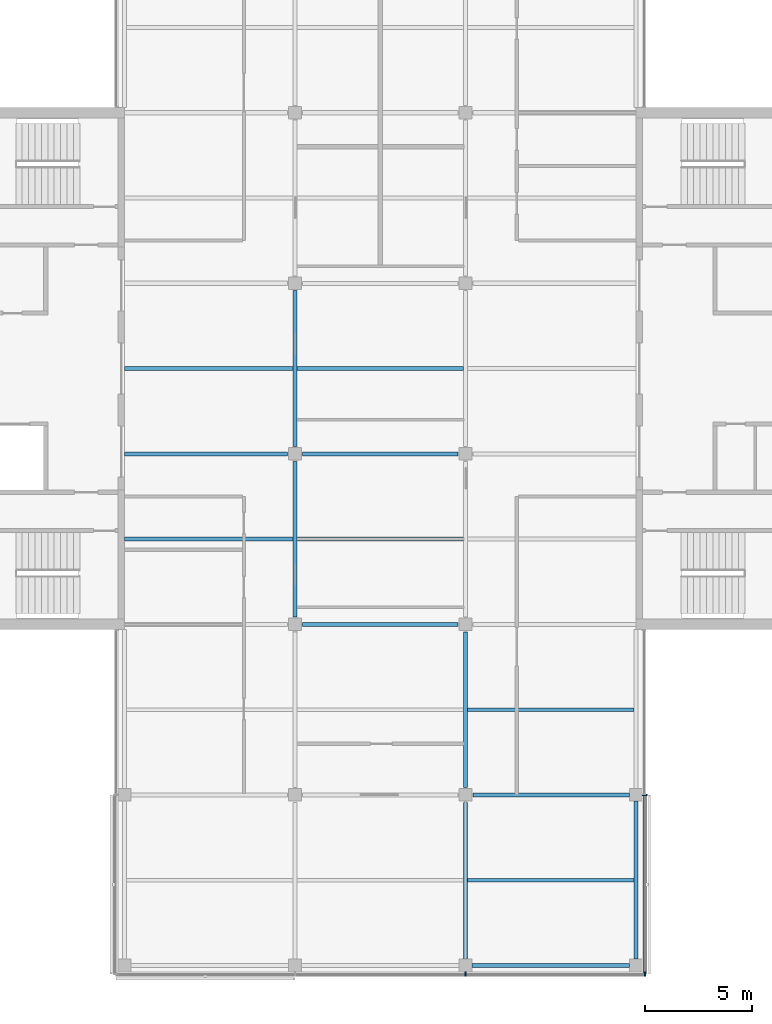
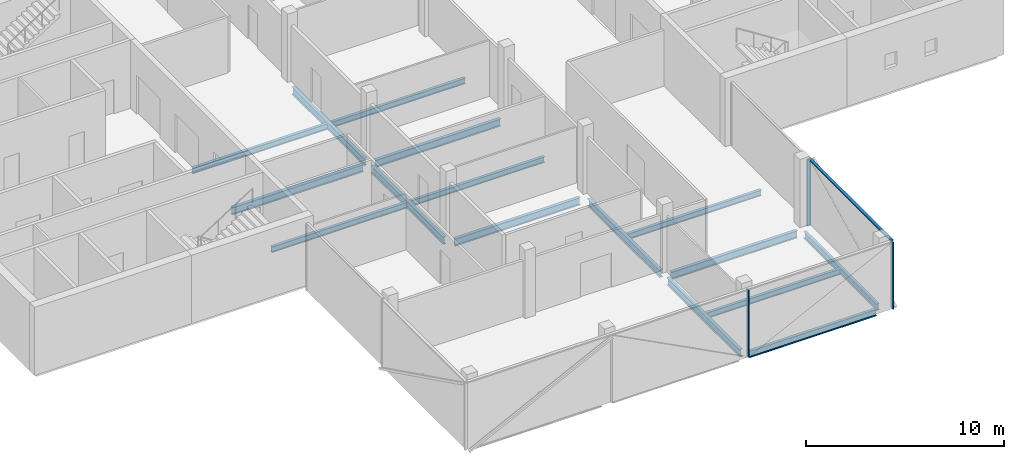
# One storey, part 3 of 16: 16 beams, 4 members, 2 elements without a shape of their own.
"""IFC4 building model written with IfcOpenShell, lengths in metres."""

import ifcopenshell
import ifcopenshell.guid

model = None  # the IFC model being written
_history = None  # IfcOwnerHistory: only IFC2X3 demands one
_inside = {}  # id of a spatial element -> (the spatial element, [elements in it])
_under = {}  # id of a project, library or spatial element -> (it, [spatial elements below it])
_declared = {}  # id of a project -> (the project, [libraries it declares])
_typed = {}  # id of a type object -> (the type object, [elements of that type])
_made_of = {}  # id of a material, layer set ... -> (it, [elements and type objects made of it])


def new_model(schema):
    """Start an empty IFC model of exactly this schema.

    Asked for "IFC4X3", IfcOpenShell would pick the latest addendum, in which some entities
    have other attributes; the version numbers below select the first issue.
    IFC2X3 requires an IfcOwnerHistory on every rooted entity: one is made here for all.
    """
    global model, _history
    if schema == "IFC4X3":
        model = ifcopenshell.file(schema_version=(4, 3, 0, 0))
    else:
        model = ifcopenshell.file(schema=schema)
    _inside.clear()
    _under.clear()
    _declared.clear()
    _typed.clear()
    _made_of.clear()
    _history = None
    if model.schema == "IFC2X3":
        org = make("IfcOrganization", Name="unknown")
        user = make(
            "IfcPersonAndOrganization",
            ThePerson=make("IfcPerson", FamilyName="unknown"),
            TheOrganization=org,
        )
        app = make(
            "IfcApplication",
            ApplicationDeveloper=org,
            Version="unknown",
            ApplicationFullName="unknown",
            ApplicationIdentifier="unknown",
        )
        _history = make(
            "IfcOwnerHistory",
            OwningUser=user,
            OwningApplication=app,
            ChangeAction="ADDED",
            CreationDate=0,
        )
    return model


def make(cls, **values):
    """One entity of the class cls with the attributes given. An attribute that is None is left unset."""
    return model.create_entity(
        cls, **{name: value for name, value in values.items() if value is not None}
    )


def rooted(cls, **values):
    """An entity with a GlobalId (a new one), such as an element, a storey or a relation."""
    return make(cls, GlobalId=ifcopenshell.guid.new(), OwnerHistory=_history, **values)


def si_unit(unit_type, name, prefix=None):
    """IfcSIUnit, for example si_unit("LENGTHUNIT", "METRE", prefix="MILLI")."""
    return make("IfcSIUnit", UnitType=unit_type, Prefix=prefix, Name=name)


def assignment(units):
    """IfcUnitAssignment: the units of a project."""
    return None if units is None else make("IfcUnitAssignment", Units=units)


def point(xyz):
    """IfcCartesianPoint."""
    return None if xyz is None else make("IfcCartesianPoint", Coordinates=xyz)


def direction(xyz):
    """IfcDirection."""
    return None if xyz is None else make("IfcDirection", DirectionRatios=xyz)


def frame(location, z_axis=None, x_axis=None):
    """IfcAxis2Placement3D, a coordinate frame: its origin and axes. An axis left out is left unset."""
    return make(
        "IfcAxis2Placement3D",
        Location=point(location),
        Axis=direction(z_axis),
        RefDirection=direction(x_axis),
    )


def frame_2d(location, x_axis=None):
    """IfcAxis2Placement2D, a coordinate frame in the plane: its origin and x axis."""
    return make(
        "IfcAxis2Placement2D", Location=point(location), RefDirection=direction(x_axis)
    )


def origin():
    """The frame at (0, 0, 0) with its axes left unset."""
    return frame((0.0, 0.0, 0.0))


def origin_2d():
    """The frame at (0, 0) in the plane with its x axis left unset."""
    return frame_2d((0.0, 0.0))


def place(relative_to, where):
    """IfcLocalPlacement: puts the frame where relative to a parent placement (None: the world)."""
    return make(
        "IfcLocalPlacement", PlacementRelTo=relative_to, RelativePlacement=where
    )


def context(
    kind, dimensions, precision=None, world=None, true_north=None, identifier=None
):
    """IfcGeometricRepresentationContext, for example the 3D "Model" context."""
    return make(
        "IfcGeometricRepresentationContext",
        ContextIdentifier=identifier,
        ContextType=kind,
        CoordinateSpaceDimension=dimensions,
        Precision=precision,
        WorldCoordinateSystem=world,
        TrueNorth=true_north,
    )


def subcontext(parent, identifier, kind, view, scale=None):
    """IfcGeometricRepresentationSubContext, for example "Body" below "Model"."""
    return make(
        "IfcGeometricRepresentationSubContext",
        ContextIdentifier=identifier,
        ContextType=kind,
        ParentContext=parent,
        TargetScale=scale,
        TargetView=view,
    )


def project(units=None, contexts=None):
    """IfcProject with its units and contexts."""
    return rooted(
        "IfcProject",
        Name="project",
        RepresentationContexts=contexts,
        UnitsInContext=assignment(units),
    )


def spatial(cls, under=None, at=None, **own):
    """A site, building, storey or space (cls), placed at a placement, below another one or the project."""
    s = rooted(cls, ObjectPlacement=at, **own)
    if under is not None:
        _under.setdefault(under.id(), (under, []))[1].append(s)
    return s


def profile(cls, at=None, kind="AREA", **sizes):
    """A parametric profile (cls). Its sizes go by their IFC names, for example OverallWidth=200.0."""
    return make(cls, ProfileType=kind, Position=at, **sizes)


def rectangle(**sizes):
    """IfcRectangleProfileDef."""
    return profile("IfcRectangleProfileDef", **sizes)


def i_section(**sizes):
    """IfcIShapeProfileDef."""
    return profile("IfcIShapeProfileDef", **sizes)


def extrude(swept, where, along, depth):
    """IfcExtrudedAreaSolid: the profile swept, set in the frame where, extruded along a direction by depth."""
    return make(
        "IfcExtrudedAreaSolid",
        SweptArea=swept,
        Position=where,
        ExtrudedDirection=direction(along),
        Depth=depth,
    )


def shape(context_of_items, identifier, shape_type, items):
    """IfcShapeRepresentation: the items that make up one representation, for example the "Body"."""
    return make(
        "IfcShapeRepresentation",
        ContextOfItems=context_of_items,
        RepresentationIdentifier=identifier,
        RepresentationType=shape_type,
        Items=items,
    )


def material(Name=None, Category=None):
    """IfcMaterial."""
    return make("IfcMaterial", Name=Name, Category=Category)


def material_profile(
    of_material, cross_section, Name=None, Category=None, Priority=None
):
    """IfcMaterialProfile: a cross section and its material."""
    return make(
        "IfcMaterialProfile",
        Name=Name,
        Material=of_material,
        Profile=cross_section,
        Priority=Priority,
        Category=Category,
    )


def profile_set(profiles, Name=None, composite=None):
    """IfcMaterialProfileSet."""
    return make(
        "IfcMaterialProfileSet",
        Name=Name,
        MaterialProfiles=profiles,
        CompositeProfile=composite,
    )


def made_of(thing, what):
    """Note that an element or type object is made of a material, layer set ...; save() writes the relation."""
    if what is not None:
        _made_of.setdefault(what.id(), (what, []))[1].append(thing)
    return thing


def type_object(cls, material=None, **own):
    """A type object (cls), such as IfcWallType, which elements share."""
    return made_of(rooted(cls, **own), material)


def element(
    cls,
    number,
    at=None,
    inside=None,
    cuts=None,
    type_object=None,
    material=None,
    context=None,
    identifier="Body",
    shape_type=None,
    held_by="IfcProductDefinitionShape",
    body=None,
    shapes=None,
    **own,
):
    """One element of the class cls, such as IfcWall. Its Tag is "e" and its number.

    at: its placement. inside: the storey or other place that contains it. cuts: it is an
    opening in that element (IfcRelVoidsElement). A single representation is given by context,
    identifier, shape_type and body (its items); several are given by shapes. held_by: the class
    of the entity that holds the representations. save() writes the other relations.
    """
    e = rooted(cls, Tag="e%d" % number, ObjectPlacement=at, **own)
    if body is not None:
        shapes = [shape(context, identifier, shape_type, body)]
    if shapes is not None:
        e.Representation = make(held_by, Representations=shapes)
    if inside is not None:
        _inside.setdefault(inside.id(), (inside, []))[1].append(e)
    if cuts is not None:
        rooted(
            "IfcRelVoidsElement", RelatingBuildingElement=cuts, RelatedOpeningElement=e
        )
    if type_object is not None:
        _typed.setdefault(type_object.id(), (type_object, []))[1].append(e)
    return made_of(e, material)


def aggregate(whole, parts):
    """IfcRelAggregates: a whole, such as a stair, and the parts it consists of."""
    return rooted("IfcRelAggregates", RelatingObject=whole, RelatedObjects=parts)


def save(model, path):
    """Write the relations noted so far, then the file.

    IfcRelAggregates (storeys below a building ...), IfcRelContainedInSpatialStructure (elements
    in a storey), IfcRelDefinesByType, IfcRelAssociatesMaterial and IfcRelDeclares: one each for
    every whole, place, type object, material and project.
    """
    for whole, parts in _under.values():
        aggregate(whole, parts)
    for where, things in _inside.values():
        rooted(
            "IfcRelContainedInSpatialStructure",
            RelatedElements=things,
            RelatingStructure=where,
        )
    for kind, things in _typed.values():
        rooted("IfcRelDefinesByType", RelatedObjects=things, RelatingType=kind)
    for what, things in _made_of.values():
        rooted("IfcRelAssociatesMaterial", RelatedObjects=things, RelatingMaterial=what)
    for by, libraries in _declared.values():
        rooted("IfcRelDeclares", RelatingContext=by, RelatedDefinitions=libraries)
    model.write(path)


model = new_model("IFC4")

# Units and contexts
model_context = context("Model", 3, precision=1e-05, world=origin(), true_north=direction((0.0, 1.0)))
body_context = subcontext(model_context, "Body", "Model", "MODEL_VIEW")
ifc_project = project(units=[si_unit("LENGTHUNIT", "METRE"), si_unit("AREAUNIT", "SQUARE_METRE"), si_unit("VOLUMEUNIT", "CUBIC_METRE"), si_unit("PLANEANGLEUNIT", "RADIAN"), si_unit("MASSUNIT", "GRAM", prefix="KILO")], contexts=[model_context])

# Site, building, storey
site_placement = place(None, origin())
site = spatial("IfcSite", under=ifc_project, at=site_placement, CompositionType="ELEMENT")
building_placement = place(site_placement, origin())
building = spatial("IfcBuilding", under=site, at=building_placement, Name="Crosswind Convention Tower", CompositionType="ELEMENT")
storey_placement = place(building_placement, frame((0.0, 0.0, 295.5)))
storey = spatial("IfcBuildingStorey", under=building, at=storey_placement, Name="L64", CompositionType="ELEMENT", Elevation=295.5)

# Beams
ifc_material_1 = material(Name="Steel S355", Category="steel")
ifc_material_profile_1 = material_profile(ifc_material_1, i_section(OverallWidth=0.177734375, OverallDepth=0.406494140625, WebThickness=0.0078125, FlangeThickness=0.0126953125, FilletRadius=0.01025390625, at=origin_2d()), Name="UB 406x178x60")
ifc_profile_set_1 = profile_set([ifc_material_profile_1], Name="Steel S355")
beam_type_1 = type_object("IfcBeamType", Name="Edge beam UB 406x178x60", PredefinedType="SPANDREL", material=ifc_profile_set_1)
for number, where, z_axis, x_axis, name in (
    (1, (129.300048828125, 72.0, -0.503173828125), (1.0, 0.0, 0.0), (0.0, 1.0, 0.0), "B15 L64 edge beam 9"),
    (2, (137.0, 72.300048828125, -0.503173828125), (0.0, 1.0, 0.0), (-1.0, 0.0, 0.0), "B15 L64 edge beam 11"),
):
    element("IfcBeam", number, at=place(storey_placement, frame(where, z_axis=z_axis, x_axis=x_axis)), inside=storey, type_object=beam_type_1, Name=name, PredefinedType="SPANDREL", context=body_context, shape_type="SweptSolid", body=[
        extrude(i_section(OverallWidth=0.177734375, OverallDepth=0.406494140625, WebThickness=0.0078125, FlangeThickness=0.0126953125, FilletRadius=0.01025390625, at=origin_2d()), origin(), (0.0, 0.0, 1.0), 7.39990234375),
    ])
ifc_material_profile_2 = material_profile(ifc_material_1, i_section(OverallWidth=0.18994140625, OverallDepth=0.45361328125, WebThickness=0.008544921875, FlangeThickness=0.0126953125, FilletRadius=0.01025390625, at=origin_2d()), Name="UB 457x191x67")
ifc_profile_set_2 = profile_set([ifc_material_profile_2], Name="Steel S355")
beam_type_2 = type_object("IfcBeamType", Name="Girder UB 457x191x67", PredefinedType="BEAM", material=ifc_profile_set_2)
for number, where, z_axis, x_axis, name in (
    (3, (121.0, 88.35009765625, -0.52685546875), (0.0, 1.0, 0.0), (-1.0, 0.0, 0.0), "B1 L64 girder 5"),
    (4, (121.0, 96.35009765625, -0.52685546875), (0.0, 1.0, 0.0), (-1.0, 0.0, 0.0), "B1 L64 girder 6"),
    (5, (121.35009765625, 88.0, -0.52685546875), (1.0, 0.0, 0.0), (0.0, 1.0, 0.0), "B1 L64 girder 11"),
    (6, (121.35009765625, 96.0, -0.52685546875), (1.0, 0.0, 0.0), (0.0, 1.0, 0.0), "B1 L64 girder 12"),
):
    element("IfcBeam", number, at=place(storey_placement, frame(where, z_axis=z_axis, x_axis=x_axis)), inside=storey, type_object=beam_type_2, Name=name, PredefinedType="BEAM", context=body_context, shape_type="SweptSolid", body=[
        extrude(i_section(OverallWidth=0.18994140625, OverallDepth=0.45361328125, WebThickness=0.008544921875, FlangeThickness=0.0126953125, FilletRadius=0.01025390625, at=origin_2d()), origin(), (0.0, 0.0, 1.0), 7.2998046875),
    ])
beam_1_placement = place(storey_placement, frame((129.0, 72.300048828125, -0.52685546875), z_axis=(0.0, 1.0, 0.0), x_axis=(-1.0, 0.0, 0.0)))
element("IfcBeam", 7, at=beam_1_placement, inside=storey, type_object=beam_type_2, Name="B1 L64 girder 16", PredefinedType="BEAM", context=body_context, shape_type="SweptSolid", body=[
    extrude(i_section(OverallWidth=0.18994140625, OverallDepth=0.45361328125, WebThickness=0.008544921875, FlangeThickness=0.0126953125, FilletRadius=0.01025390625, at=origin_2d()), origin(), (0.0, 0.0, 1.0), 7.349853515625),
])
beam_2_placement = place(storey_placement, frame((129.0, 80.35009765625, -0.52685546875), z_axis=(0.0, 1.0, 0.0), x_axis=(-1.0, 0.0, 0.0)))
element("IfcBeam", 8, at=beam_2_placement, inside=storey, type_object=beam_type_2, Name="B1 L64 girder 17", PredefinedType="BEAM", context=body_context, shape_type="SweptSolid", body=[
    extrude(i_section(OverallWidth=0.18994140625, OverallDepth=0.45361328125, WebThickness=0.008544921875, FlangeThickness=0.0126953125, FilletRadius=0.01025390625, at=origin_2d()), origin(), (0.0, 0.0, 1.0), 7.2998046875),
])
beam_3_placement = place(storey_placement, frame((129.35009765625, 80.0, -0.52685546875), z_axis=(1.0, 0.0, 0.0), x_axis=(0.0, 1.0, 0.0)))
element("IfcBeam", 9, at=beam_3_placement, inside=storey, type_object=beam_type_2, Name="B1 L64 girder 23", PredefinedType="BEAM", context=body_context, shape_type="SweptSolid", body=[
    extrude(i_section(OverallWidth=0.18994140625, OverallDepth=0.45361328125, WebThickness=0.008544921875, FlangeThickness=0.0126953125, FilletRadius=0.01025390625, at=origin_2d()), origin(), (0.0, 0.0, 1.0), 7.349853515625),
])
ifc_material_profile_3 = material_profile(ifc_material_1, i_section(OverallWidth=0.1904296875, OverallDepth=0.457275390625, WebThickness=0.009033203125, FlangeThickness=0.014404296875, FilletRadius=0.01025390625, at=origin_2d()), Name="UB 457x191x75")
ifc_profile_set_3 = profile_set([ifc_material_profile_3], Name="Steel S355")
beam_type_3 = type_object("IfcBeamType", Name="Girder at core wall UB 457x191x75", PredefinedType="BEAM", material=ifc_profile_set_3)
beam_4_placement = place(storey_placement, frame((113.0, 96.0, -0.528564453125), z_axis=(1.0, 0.0, 0.0), x_axis=(0.0, 1.0, 0.0)))
element("IfcBeam", 10, at=beam_4_placement, inside=storey, type_object=beam_type_3, Name="B22 L64 girder at core wall 2", PredefinedType="BEAM", context=body_context, shape_type="SweptSolid", body=[
    extrude(i_section(OverallWidth=0.1904296875, OverallDepth=0.457275390625, WebThickness=0.009033203125, FlangeThickness=0.014404296875, FilletRadius=0.01025390625, at=origin_2d()), origin(), (0.0, 0.0, 1.0), 7.64990234375),
])

# Curtain wall, members
ifc_material_2 = material(Name="Aluminium unitised curtain wall", Category="aluminium")
curtain_wall_type = type_object("IfcCurtainWallType", Name="OFFICE UNITISED WALL 220", PredefinedType="USERDEFINED", material=ifc_material_2)
curtain_wall_1_placement = place(storey_placement, origin())
curtain_wall_1 = element("IfcCurtainWall", 11, at=curtain_wall_1_placement, inside=storey, type_object=curtain_wall_type, Name="CW3 L64 S-TIP 1", ObjectType="UNITISED", PredefinedType="USERDEFINED")
ifc_material_3 = material(Name="Aluminium mullion", Category="aluminium")
ifc_material_profile_4 = material_profile(ifc_material_3, rectangle(XDim=0.219970703125, YDim=0.070068359375, at=origin_2d()), Name="AL 220X70")
ifc_profile_set_4 = profile_set([ifc_material_profile_4], Name="Aluminium mullion")
member_type_1 = type_object("IfcMemberType", Name="MULLION 70X220", PredefinedType="MULLION", material=ifc_profile_set_4)
member_1_placement = place(storey_placement, frame((129.0, 71.590087890625, -0.300048828125), z_axis=(0.0, 0.0, 1.0), x_axis=(0.0, -1.0, 0.0)))
member_1 = element("IfcMember", 12, at=member_1_placement, type_object=member_type_1, Name="CW3 mullion 3", PredefinedType="MULLION", context=body_context, shape_type="SweptSolid", body=[
    extrude(rectangle(XDim=0.219970703125, YDim=0.070068359375, at=origin_2d()), origin(), (0.0, 0.0, 1.0), 4.130126953125),
])
member_2_placement = place(storey_placement, frame((137.409912109375, 71.590087890625, -0.300048828125), z_axis=(0.0, 0.0, 1.0), x_axis=(0.0, -1.0, 0.0)))
member_2 = element("IfcMember", 13, at=member_2_placement, type_object=member_type_1, Name="CW3 mullion 4", PredefinedType="MULLION", context=body_context, shape_type="SweptSolid", body=[
    extrude(rectangle(XDim=0.219970703125, YDim=0.070068359375, at=origin_2d()), origin(), (0.0, 0.0, 1.0), 4.130126953125),
])
aggregate(curtain_wall_1, [member_1, member_2])

# Curtain wall, member
curtain_wall_2_placement = place(storey_placement, origin())
curtain_wall_2 = element("IfcCurtainWall", 14, at=curtain_wall_2_placement, inside=storey, type_object=curtain_wall_type, Name="CW3 L64 S-E 1", ObjectType="UNITISED", PredefinedType="USERDEFINED")
member_3_placement = place(storey_placement, frame((137.409912109375, 80.0, -0.300048828125), z_axis=(0.0, 0.0, 1.0), x_axis=(1.0, 0.0, 0.0)))
member_3 = element("IfcMember", 15, at=member_3_placement, type_object=member_type_1, Name="CW3 mullion 2", PredefinedType="MULLION", context=body_context, shape_type="SweptSolid", body=[
    extrude(rectangle(XDim=0.219970703125, YDim=0.070068359375, at=origin_2d()), origin(), (0.0, 0.0, 1.0), 4.130126953125),
])

# Beams
ifc_material_profile_5 = material_profile(ifc_material_1, i_section(OverallWidth=0.17138671875, OverallDepth=0.355712890625, WebThickness=0.00732421875, FlangeThickness=0.011474609375, FilletRadius=0.01025390625, at=origin_2d()), Name="UB 356x171x51")
ifc_profile_set_5 = profile_set([ifc_material_profile_5], Name="Steel S355")
beam_type_4 = type_object("IfcBeamType", Name="Secondary beam UB 356x171x51", PredefinedType="JOIST", material=ifc_profile_set_5)
for number, where, z_axis, x_axis, name in (
    (16, (113.0, 92.0, -0.477783203125), (1.0, 0.0, 0.0), (0.0, 1.0, 0.0), "B8 L64 secondary beam 1"),
    (17, (113.0, 100.0, -0.477783203125), (1.0, 0.0, 0.0), (0.0, 1.0, 0.0), "B8 L64 secondary beam 2"),
):
    element("IfcBeam", number, at=place(storey_placement, frame(where, z_axis=z_axis, x_axis=x_axis)), inside=storey, type_object=beam_type_4, Name=name, PredefinedType="JOIST", context=body_context, shape_type="SweptSolid", body=[
        extrude(i_section(OverallWidth=0.17138671875, OverallDepth=0.355712890625, WebThickness=0.00732421875, FlangeThickness=0.011474609375, FilletRadius=0.01025390625, at=origin_2d()), origin(), (0.0, 0.0, 1.0), 7.905029296875),
    ])
for number, where, z_axis, x_axis, name in (
    (18, (121.094970703125, 92.0, -0.477783203125), (1.0, 0.0, 0.0), (0.0, 1.0, 0.0), "B8 L64 secondary beam 10"),
    (19, (121.094970703125, 100.0, -0.477783203125), (1.0, 0.0, 0.0), (0.0, 1.0, 0.0), "B8 L64 secondary beam 11"),
):
    element("IfcBeam", number, at=place(storey_placement, frame(where, z_axis=z_axis, x_axis=x_axis)), inside=storey, type_object=beam_type_4, Name=name, PredefinedType="JOIST", context=body_context, shape_type="SweptSolid", body=[
        extrude(i_section(OverallWidth=0.17138671875, OverallDepth=0.355712890625, WebThickness=0.00732421875, FlangeThickness=0.011474609375, FilletRadius=0.01025390625, at=origin_2d()), origin(), (0.0, 0.0, 1.0), 7.81005859375),
    ])
for number, where, z_axis, x_axis, name in (
    (20, (129.094970703125, 76.0, -0.477783203125), (1.0, 0.0, 0.0), (0.0, 1.0, 0.0), "B8 L64 secondary beam 15"),
    (21, (129.094970703125, 84.0, -0.477783203125), (1.0, 0.0, 0.0), (0.0, 1.0, 0.0), "B8 L64 secondary beam 16"),
):
    element("IfcBeam", number, at=place(storey_placement, frame(where, z_axis=z_axis, x_axis=x_axis)), inside=storey, type_object=beam_type_4, Name=name, PredefinedType="JOIST", context=body_context, shape_type="SweptSolid", body=[
        extrude(i_section(OverallWidth=0.17138671875, OverallDepth=0.355712890625, WebThickness=0.00732421875, FlangeThickness=0.011474609375, FilletRadius=0.01025390625, at=origin_2d()), origin(), (0.0, 0.0, 1.0), 7.816162109375),
    ])

# Member
ifc_material_4 = material(Name="Aluminium transom", Category="aluminium")
ifc_material_profile_6 = material_profile(ifc_material_4, rectangle(XDim=0.159912109375, YDim=0.070068359375, at=origin_2d()), Name="AL 160X70")
ifc_profile_set_6 = profile_set([ifc_material_profile_6], Name="Aluminium transom")
member_type_2 = type_object("IfcMemberType", Name="TRANSOM 70X160", PredefinedType="USERDEFINED", material=ifc_profile_set_6)
member_4_placement = place(storey_placement, frame((137.409912109375, 71.625, 3.864990234375), z_axis=(0.0, 1.0, 0.0), x_axis=(-1.0, 0.0, 0.0)))
member_4 = element("IfcMember", 22, at=member_4_placement, type_object=member_type_2, Name="CW3 transom", ObjectType="TRANSOM", PredefinedType="USERDEFINED", context=body_context, shape_type="SweptSolid", body=[
    extrude(rectangle(XDim=0.159912109375, YDim=0.070068359375, at=origin_2d()), origin(), (0.0, 0.0, 1.0), 8.340087890625),
])

aggregate(curtain_wall_2, [member_3, member_4])

save(model, "model.ifc")
